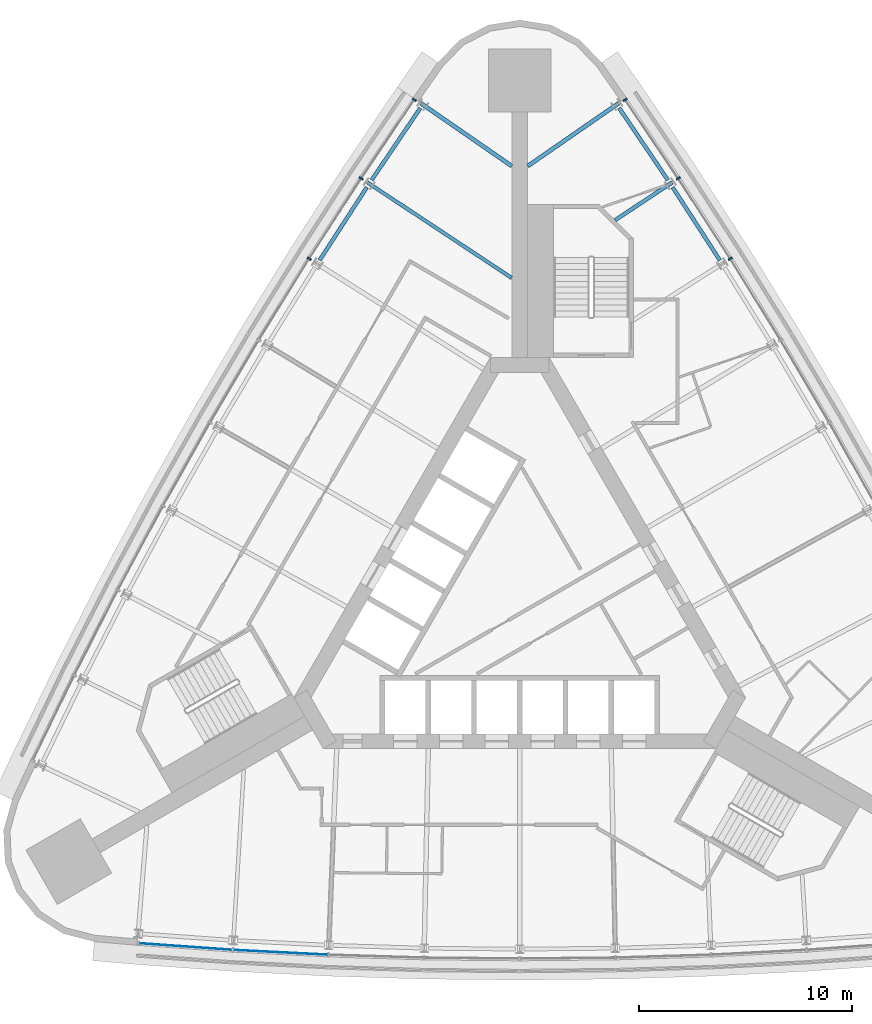
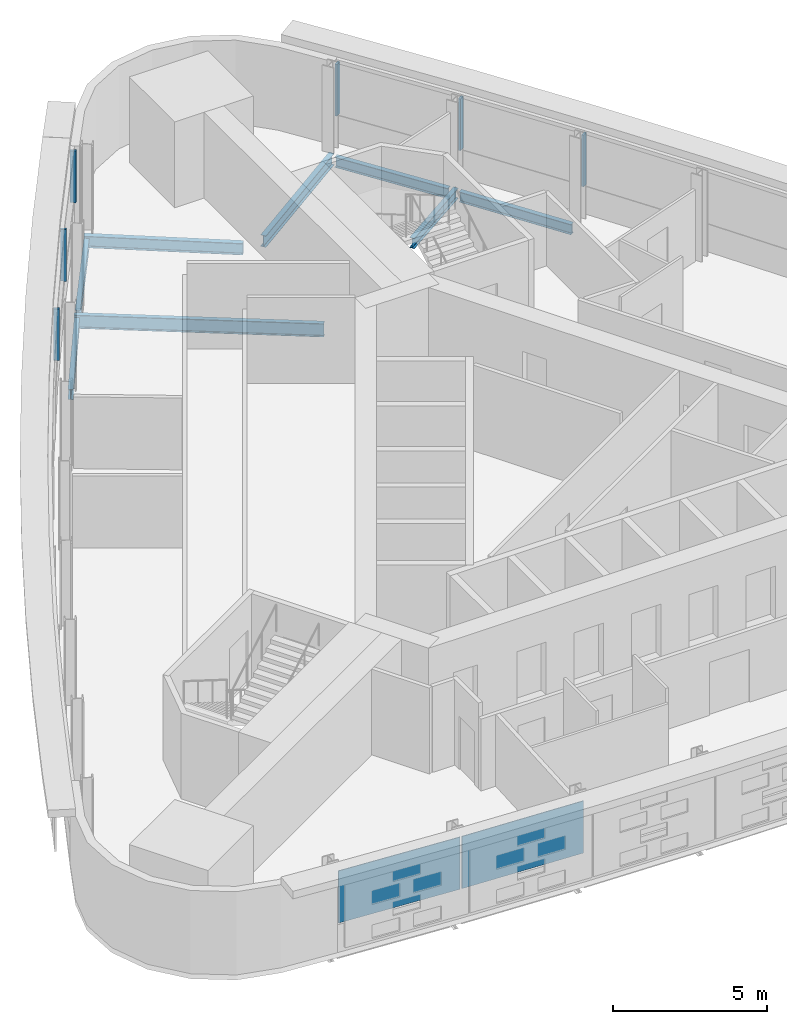
# One storey, part 5 of 11: 8 beams, 6 members, 2 plates, 3 elements without a shape of their own.
"""IFC4 building model written with IfcOpenShell, lengths in metres."""

from ifc_helpers import new_model, si_unit, direction, frame, origin, origin_2d, place, context, subcontext, project, spatial, rectangle, i_section, extrude, material, layer, layer_set, material_profile, profile_set, type_object, element, aggregate, save


model = new_model("IFC4")

# Units and contexts
model_context = context("Model", 3, precision=1e-05, world=origin(), true_north=direction((0.0, 1.0)))
body_context = subcontext(model_context, "Body", "Model", "MODEL_VIEW")
ifc_project = project(units=[si_unit("LENGTHUNIT", "METRE"), si_unit("AREAUNIT", "SQUARE_METRE"), si_unit("VOLUMEUNIT", "CUBIC_METRE"), si_unit("PLANEANGLEUNIT", "RADIAN"), si_unit("MASSUNIT", "GRAM", prefix="KILO")], contexts=[model_context])

# Site, building, storey
site_placement = place(None, origin())
site = spatial("IfcSite", under=ifc_project, at=site_placement, CompositionType="ELEMENT")
building_placement = place(site_placement, origin())
building = spatial("IfcBuilding", under=site, at=building_placement, Name="Noor Cloister Tower", CompositionType="ELEMENT")
storey_placement = place(building_placement, frame((0.0, 0.0, 120.300048828125)))
storey = spatial("IfcBuildingStorey", under=building, at=storey_placement, Name="L31", CompositionType="ELEMENT", Elevation=120.300048828125)

# Curtain wall, members
ifc_material_1 = material(Name="Aluminium 6063-T6 anodised", Category="aluminium")
curtain_wall_type = type_object("IfcCurtainWallType", Name="Ribbon curtain wall, lower tower CW1", PredefinedType="NOTDEFINED", material=ifc_material_1)
curtain_wall_1_placement = place(storey_placement, origin())
curtain_wall_1 = element("IfcCurtainWall", 1, at=curtain_wall_1_placement, inside=storey, type_object=curtain_wall_type, Name="CW1 L31 NW run 1", PredefinedType="NOTDEFINED")
ifc_material_2 = material(Name="Aluminium 6063-T6 anodised", Category="aluminium")
ifc_material_profile_1 = material_profile(ifc_material_2, rectangle(XDim=0.199951171875, YDim=0.080078125, at=origin_2d()), Name="200 x 80 mullion")
ifc_profile_set_1 = profile_set([ifc_material_profile_1], Name="Aluminium 6063-T6 anodised")
member_type = type_object("IfcMemberType", Name="Mullion CW1 80 x 200", PredefinedType="MULLION", material=ifc_profile_set_1)
member_1_placement = place(storey_placement, frame((-4.9521484375, 23.566650390625, 1.099853515625), z_axis=(0.0, 0.0, 1.0), x_axis=(0.828355501592, -0.560202787374, 0.0)))
member_1 = element("IfcMember", 2, at=member_1_placement, type_object=member_type, Name="CW1 mullion 1", PredefinedType="MULLION", context=body_context, shape_type="SweptSolid", body=[
    extrude(rectangle(XDim=0.199951171875, YDim=0.080078125, at=origin_2d()), origin(), (0.0, 0.0, 1.0), 2.050048828125),
])
member_2_placement = place(storey_placement, frame((-7.449951171875, 19.873046875, 1.099853515625), z_axis=(0.0, 0.0, 1.0), x_axis=(0.833997356538, -0.551768438105, 0.0)))
member_2 = element("IfcMember", 3, at=member_2_placement, type_object=member_type, Name="CW1 mullion 2", PredefinedType="MULLION", context=body_context, shape_type="SweptSolid", body=[
    extrude(rectangle(XDim=0.199951171875, YDim=0.080078125, at=origin_2d()), origin(), (0.0, 0.0, 1.0), 2.050048828125),
])
member_3_placement = place(storey_placement, frame((-9.8935546875, 16.096923828125, 1.099853515625), z_axis=(0.0, 0.0, 1.0), x_axis=(0.845022876611, -0.534730154381, 0.0)))
member_3 = element("IfcMember", 4, at=member_3_placement, type_object=member_type, Name="CW1 mullion 3", PredefinedType="MULLION", context=body_context, shape_type="SweptSolid", body=[
    extrude(rectangle(XDim=0.199951171875, YDim=0.080078125, at=origin_2d()), origin(), (0.0, 0.0, 1.0), 2.050048828125),
])
aggregate(curtain_wall_1, [member_1, member_2, member_3])

curtain_wall_2_placement = place(storey_placement, origin())
curtain_wall_2 = element("IfcCurtainWall", 5, at=curtain_wall_2_placement, inside=storey, type_object=curtain_wall_type, Name="CW1 L31 NE run 3", PredefinedType="NOTDEFINED")
member_4_placement = place(storey_placement, frame((9.8935546875, 16.096923828125, 1.099853515625), z_axis=(0.0, 0.0, 1.0), x_axis=(-0.845022876611, -0.534730154381, 0.0)))
member_4 = element("IfcMember", 6, at=member_4_placement, type_object=member_type, Name="CW1 mullion 7", PredefinedType="MULLION", context=body_context, shape_type="SweptSolid", body=[
    extrude(rectangle(XDim=0.199951171875, YDim=0.080078125, at=origin_2d()), origin(), (0.0, 0.0, 1.0), 2.050048828125),
])
member_5_placement = place(storey_placement, frame((7.449951171875, 19.873046875, 1.099853515625), z_axis=(0.0, 0.0, 1.0), x_axis=(-0.833997356538, -0.551768438105, 0.0)))
member_5 = element("IfcMember", 7, at=member_5_placement, type_object=member_type, Name="CW1 mullion 8", PredefinedType="MULLION", context=body_context, shape_type="SweptSolid", body=[
    extrude(rectangle(XDim=0.199951171875, YDim=0.080078125, at=origin_2d()), origin(), (0.0, 0.0, 1.0), 2.050048828125),
])
member_6_placement = place(storey_placement, frame((4.9521484375, 23.566650390625, 1.099853515625), z_axis=(0.0, 0.0, 1.0), x_axis=(-0.828355501592, -0.560202787374, 0.0)))
member_6 = element("IfcMember", 8, at=member_6_placement, type_object=member_type, Name="CW1 mullion 9", PredefinedType="MULLION", context=body_context, shape_type="SweptSolid", body=[
    extrude(rectangle(XDim=0.199951171875, YDim=0.080078125, at=origin_2d()), origin(), (0.0, 0.0, 1.0), 2.050048828125),
])
aggregate(curtain_wall_2, [member_4, member_5, member_6])

# Beams
ifc_material_3 = material(Name="Steel ASTM A992 Gr 50", Category="steel")
ifc_material_profile_2 = material_profile(ifc_material_3, i_section(OverallWidth=0.177978515625, OverallDepth=0.406005859375, WebThickness=0.0078125, FlangeThickness=0.0126953125, FilletRadius=0.01025390625, at=origin_2d()), Name="W410x60")
ifc_profile_set_2 = profile_set([ifc_material_profile_2], Name="Steel ASTM A992 Gr 50")
beam_type_1 = type_object("IfcBeamType", Name="Radial beam W410x60", PredefinedType="BEAM", material=ifc_profile_set_2)
beam_1_placement = place(storey_placement, frame((7.15869140625, 19.68017578125, -0.403076171875), z_axis=(-0.834011494553, -0.551747067916, 0.0), x_axis=(0.551747067916, -0.834011494553, 0.0)))
element("IfcBeam", 9, at=beam_1_placement, inside=storey, type_object=beam_type_1, Name="Radial beam NE 08 L31", PredefinedType="BEAM", context=body_context, shape_type="SweptSolid", body=[
    extrude(i_section(OverallWidth=0.177978515625, OverallDepth=0.406005859375, WebThickness=0.0078125, FlangeThickness=0.0126953125, FilletRadius=0.01025390625, at=origin_2d()), origin(), (0.0, 0.0, 1.0), 3.208984375),
])
ifc_material_4 = material(Name="Steel ASTM A992 Gr 50", Category="steel")
ifc_material_profile_3 = material_profile(ifc_material_4, i_section(OverallWidth=0.19091796875, OverallDepth=0.45703125, WebThickness=0.009033203125, FlangeThickness=0.014404296875, FilletRadius=0.01025390625, at=origin_2d()), Name="W460x74")
ifc_profile_set_3 = profile_set([ifc_material_profile_3], Name="Steel ASTM A992 Gr 50")
beam_type_2 = type_object("IfcBeamType", Name="Radial beam W460x74", PredefinedType="BEAM", material=ifc_profile_set_3)
for number, where, z_axis, x_axis, name in (
    (10, (-4.642822265625, 23.400146484375, -0.428466796875), (0.822637493893, -0.568566226258, 0.0), (0.568566226258, 0.822637493893, 0.0), "Radial beam NW 01 L31"),
    (11, (4.642822265625, 23.400146484375, -0.428466796875), (-0.822637493893, -0.568566226258, 0.0), (0.568566226258, -0.822637493893, 0.0), "Radial beam NE 09 L31"),
):
    element("IfcBeam", number, at=place(storey_placement, frame(where, z_axis=z_axis, x_axis=x_axis)), inside=storey, type_object=beam_type_2, Name=name, PredefinedType="BEAM", context=body_context, shape_type="SweptSolid", body=[
        extrude(i_section(OverallWidth=0.19091796875, OverallDepth=0.45703125, WebThickness=0.009033203125, FlangeThickness=0.014404296875, FilletRadius=0.01025390625, at=origin_2d()), origin(), (0.0, 0.0, 1.0), 5.18798828125),
    ])
ifc_material_5 = material(Name="Steel ASTM A992 Gr 50", Category="steel")
ifc_material_profile_4 = material_profile(ifc_material_5, i_section(OverallWidth=0.166015625, OverallDepth=0.528076171875, WebThickness=0.009765625, FlangeThickness=0.013671875, FilletRadius=0.0126953125, at=origin_2d()), Name="W530x74")
ifc_profile_set_4 = profile_set([ifc_material_profile_4], Name="Steel ASTM A992 Gr 50")
beam_type_3 = type_object("IfcBeamType", Name="Radial beam W530x74", PredefinedType="BEAM", material=ifc_profile_set_4)
beam_2_placement = place(storey_placement, frame((-7.15869140625, 19.68017578125, -0.464111328125), z_axis=(0.834012235429, -0.551745948019, 0.0), x_axis=(0.551745948019, 0.834012235429, 0.0)))
element("IfcBeam", 12, at=beam_2_placement, inside=storey, type_object=beam_type_3, Name="Radial beam NW 02 L31", PredefinedType="BEAM", context=body_context, shape_type="SweptSolid", body=[
    extrude(i_section(OverallWidth=0.166015625, OverallDepth=0.528076171875, WebThickness=0.009765625, FlangeThickness=0.013671875, FilletRadius=0.0126953125, at=origin_2d()), origin(), (0.0, 0.0, 1.0), 8.1337890625),
])
ifc_material_6 = material(Name="Steel ASTM A992 Gr 50", Category="steel")
ifc_material_profile_5 = material_profile(ifc_material_6, i_section(OverallWidth=0.177978515625, OverallDepth=0.406005859375, WebThickness=0.0078125, FlangeThickness=0.0126953125, FilletRadius=0.01025390625, at=origin_2d()), Name="W410x60")
ifc_profile_set_5 = profile_set([ifc_material_profile_5], Name="Steel ASTM A992 Gr 50")
beam_type_4 = type_object("IfcBeamType", Name="Spandrel beam W410x60", PredefinedType="SPANDREL", material=ifc_profile_set_5)
for number, where, z_axis, x_axis, name in (
    (13, (-4.67236328125, 23.177001953125, -0.403076171875), (-0.560200904677, -0.828356774826, 0.0), (0.828356774826, -0.560200904677, 0.0), "Spandrel beam NW 01 L31"),
    (14, (-7.18359375, 19.45654296875, -0.403076171875), (-0.543305756607, -0.839534903883, 0.0), (0.839534903883, -0.543305756607, 0.0), "Spandrel beam NW 02 L31"),
    (15, (9.404541015625, 16.024658203125, -0.403076171875), (-0.543305756607, 0.839534903883, 0.0), (-0.839534903883, -0.543305756607, 0.0), "Spandrel beam NE 07 L31"),
    (16, (6.96240234375, 19.790771484375, -0.403076171875), (-0.560200904677, 0.828356774826, 0.0), (-0.828356774826, -0.560200904677, 0.0), "Spandrel beam NE 08 L31"),
):
    element("IfcBeam", number, at=place(storey_placement, frame(where, z_axis=z_axis, x_axis=x_axis)), inside=storey, type_object=beam_type_4, Name=name, PredefinedType="SPANDREL", context=body_context, shape_type="SweptSolid", body=[
        extrude(i_section(OverallWidth=0.177978515625, OverallDepth=0.406005859375, WebThickness=0.0078125, FlangeThickness=0.0126953125, FilletRadius=0.01025390625, at=origin_2d()), origin(), (0.0, 0.0, 1.0), 4.087890625),
    ])

# Curtain wall, plates
curtain_wall_3_placement = place(storey_placement, origin())
curtain_wall_3 = element("IfcCurtainWall", 17, at=curtain_wall_3_placement, inside=storey, type_object=curtain_wall_type, Name="CW1 L31 S run 2", PredefinedType="NOTDEFINED")
ifc_material_7 = material(Name="Clear laminated glass 2 x 8 mm", Category="glass")
ifc_layer = layer(ifc_material_7, 0.028076171875)
ifc_layer_set = layer_set([ifc_layer], Name="Glass panel CW1")
plate_type = type_object("IfcPlateType", Name="Glass panel CW1", PredefinedType="CURTAIN_PANEL", material=ifc_layer_set)
plate_1_placement = place(storey_placement, frame((-15.70947265625, -16.230224609375, 1.08984375), z_axis=(0.0, 0.0, 1.0), x_axis=(0.997478301431, -0.070972094341, 0.0)))
plate_1 = element("IfcPlate", 18, at=plate_1_placement, type_object=plate_type, Name="CW1 glass panel 1", PredefinedType="CURTAIN_PANEL", context=body_context, shape_type="SweptSolid", body=[
    extrude(rectangle(XDim=4.39892578125, YDim=0.028076171875, at=origin_2d()), origin(), (0.0, 0.0, 1.0), 2.070068359375),
])
plate_2_placement = place(storey_placement, frame((-11.239501953125, -16.50244140625, 1.08984375), z_axis=(0.0, 0.0, 1.0), x_axis=(0.998713153589, -0.050715252611, 0.0)))
plate_2 = element("IfcPlate", 19, at=plate_2_placement, type_object=plate_type, Name="CW1 glass panel 2", PredefinedType="CURTAIN_PANEL", context=body_context, shape_type="SweptSolid", body=[
    extrude(rectangle(XDim=4.43798828125, YDim=0.028076171875, at=origin_2d()), origin(), (0.0, 0.0, 1.0), 2.070068359375),
])
aggregate(curtain_wall_3, [plate_1, plate_2])

save(model, "model.ifc")
